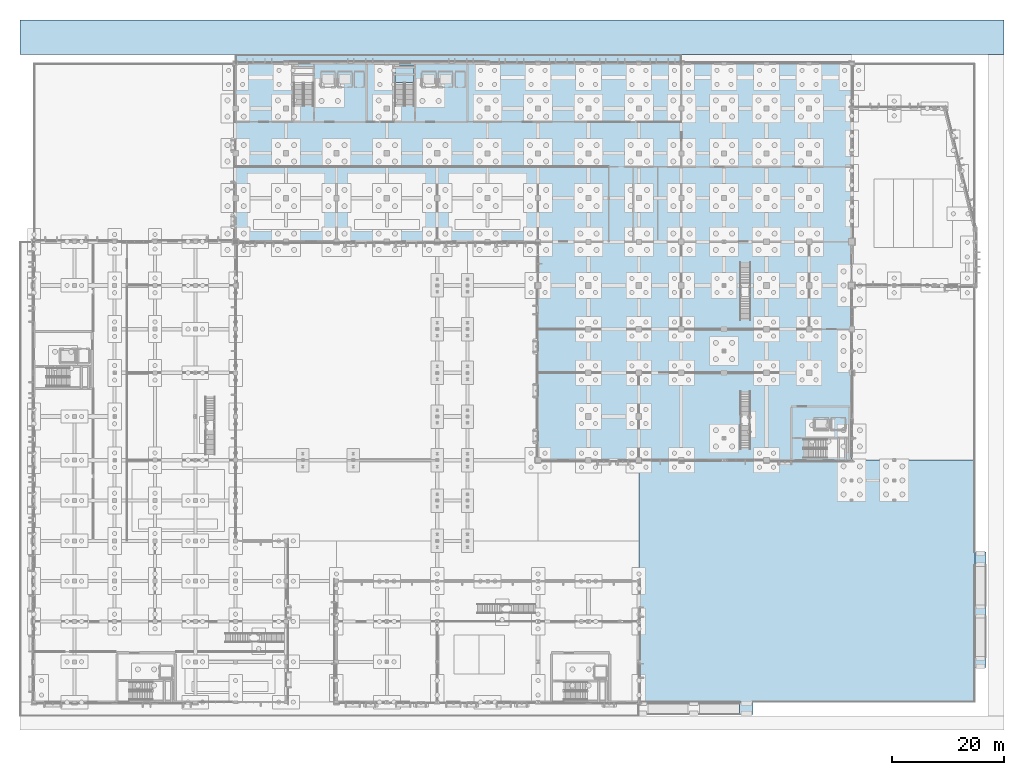
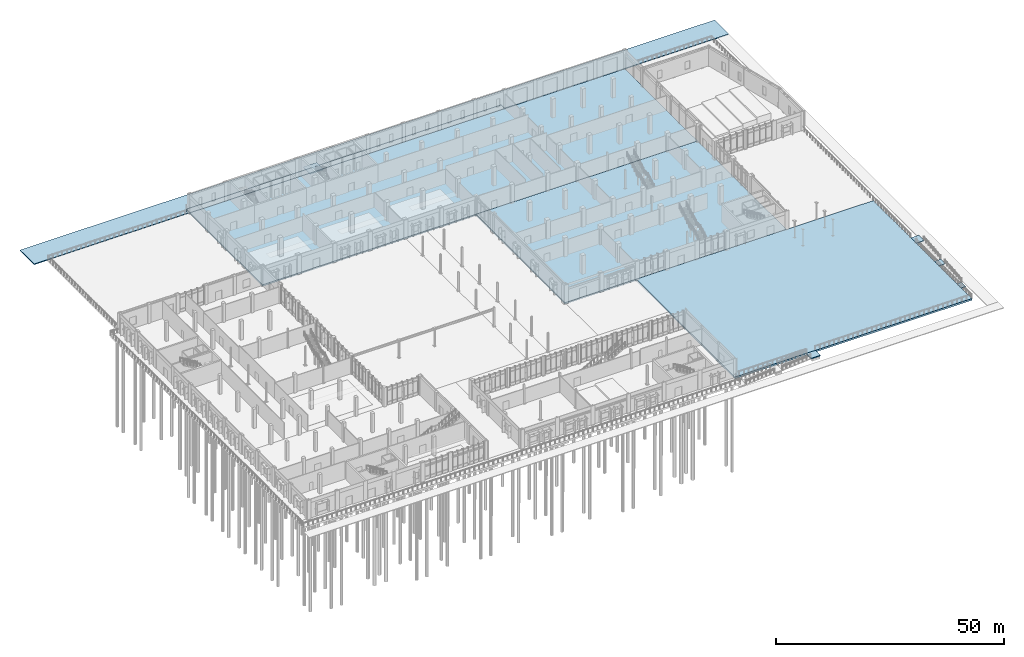
# One storey, part 56 of 94: 10 slabs, 3 elements without a shape of their own.
"""IFC4 building model written with IfcOpenShell, lengths in metres."""

from ifc_helpers import new_model, si_unit, direction, frame, origin, place, context, subcontext, project, spatial, polyline, outline, extrude, material, layer, layer_set, type_object, element, aggregate, save


model = new_model("IFC4")

# Units and contexts
model_context = context("Model", 3, precision=1e-05, world=origin(), true_north=direction((0.0, 1.0)))
body_context = subcontext(model_context, "Body", "Model", "MODEL_VIEW")
ifc_project = project(units=[si_unit("LENGTHUNIT", "METRE"), si_unit("AREAUNIT", "SQUARE_METRE"), si_unit("VOLUMEUNIT", "CUBIC_METRE"), si_unit("PLANEANGLEUNIT", "RADIAN"), si_unit("MASSUNIT", "GRAM", prefix="KILO")], contexts=[model_context])

# Site, building, storey
site_placement = place(None, origin())
site = spatial("IfcSite", under=ifc_project, at=site_placement, CompositionType="ELEMENT")
building_placement = place(site_placement, origin())
building = spatial("IfcBuilding", under=site, at=building_placement, Name="Vervanel Yard Central Library", CompositionType="ELEMENT")
storey_placement = place(building_placement, origin())
storey = spatial("IfcBuildingStorey", under=building, at=storey_placement, Name="L00", CompositionType="ELEMENT", Elevation=0.0)

# Stair, slab
ifc_material = material(Name="Concrete C40/50", Category="concrete")
stair_type = type_object("IfcStairType", Name="Protected Core Dog-Leg Stair ST-02", PredefinedType="HALF_TURN_STAIR", material=ifc_material)
stair_placement = place(storey_placement, origin())
stair = element("IfcStair", 1, at=stair_placement, inside=storey, type_object=stair_type, Name="L00 CORE-B Protected Exit Stair", PredefinedType="HALF_TURN_STAIR")
ifc_layer_1 = layer(ifc_material, 0.199951171875, Category="concrete")
ifc_layer_set_1 = layer_set([ifc_layer_1], Name="Concrete C40/50")
slab_type_1 = type_object("IfcSlabType", Name="Core Stair Concrete Landing Slab 200", PredefinedType="LANDING", material=ifc_layer_set_1)
slab_1_placement = place(storey_placement, frame((0.0, 0.0, 2.35009765625)))
slab_1 = element("IfcSlab", 2, at=slab_1_placement, type_object=slab_type_1, Name="ST-02 landing 1", PredefinedType="LANDING", context=body_context, shape_type="SweptSolid", body=[
    extrude(outline(polyline([(67.85009765625, 110.60009765625), (67.85009765625, 113.60009765625), (64.449951171875, 113.60009765625), (64.449951171875, 110.60009765625), (67.85009765625, 110.60009765625)])), origin(), (0.0, 0.0, 1.0), 0.199951171875),
])
aggregate(stair, [slab_1])

# Ramp, slab
ramp_type = type_object("IfcRampType", Name="Accessible Plinth Concrete Ramp 2000", PredefinedType="STRAIGHT_RUN_RAMP", material=ifc_material)
ramp_1_placement = place(storey_placement, origin())
ramp_1 = element("IfcRamp", 3, at=ramp_1_placement, inside=storey, type_object=ramp_type, Name="Southeast Boulevard Accessible Pedestrian Ramp RM-01", PredefinedType="STRAIGHT_RUN_RAMP")
slab_2_placement = place(storey_placement, frame((0.0, 0.0, -0.199951171875)))
slab_2 = element("IfcSlab", 4, at=slab_2_placement, type_object=slab_type_1, Name="RAMP-01 Landing RAMP-01-L2", PredefinedType="LANDING", context=body_context, shape_type="SweptSolid", body=[
    extrude(outline(polyline([(126.0, -2.199951171875), (128.39990234375, -2.199951171875), (128.39990234375, 0.0), (126.0, 0.0), (126.0, -2.199951171875)])), origin(), (0.0, 0.0, 1.0), 0.199951171875),
])
aggregate(ramp_1, [slab_2])

# Ramp, slabs
ramp_2_placement = place(storey_placement, origin())
ramp_2 = element("IfcRamp", 5, at=ramp_2_placement, inside=storey, type_object=ramp_type, Name="East Forecourt Accessible Pedestrian Ramp RM-02", PredefinedType="STRAIGHT_RUN_RAMP")
slab_3_placement = place(storey_placement, frame((0.0, 0.0, -1.39990234375)))
slab_3 = element("IfcSlab", 6, at=slab_3_placement, type_object=slab_type_1, Name="RAMP-02 Landing RAMP-02-L0", PredefinedType="LANDING", context=body_context, shape_type="SweptSolid", body=[
    extrude(outline(polyline([(168.0, 6.199951171875), (170.0, 6.199951171875), (170.0, 8.0), (168.0, 8.0), (168.0, 6.199951171875)])), origin(), (0.0, 0.0, 1.0), 0.199951171875),
])
slab_4_placement = place(storey_placement, frame((0.0, 0.0, -0.800048828125)))
slab_4 = element("IfcSlab", 7, at=slab_4_placement, type_object=slab_type_1, Name="RAMP-02 Landing RAMP-02-L1", PredefinedType="LANDING", context=body_context, shape_type="SweptSolid", body=[
    extrude(outline(polyline([(168.0, 15.199951171875), (170.0, 15.199951171875), (170.0, 17.199951171875), (168.0, 17.199951171875), (168.0, 15.199951171875)])), origin(), (0.0, 0.0, 1.0), 0.199951171875),
])
slab_5_placement = place(storey_placement, frame((0.0, 0.0, -0.199951171875)))
slab_5 = element("IfcSlab", 8, at=slab_5_placement, type_object=slab_type_1, Name="RAMP-02 Landing RAMP-02-L2", PredefinedType="LANDING", context=body_context, shape_type="SweptSolid", body=[
    extrude(outline(polyline([(168.0, 24.39990234375), (170.0, 24.39990234375), (170.0, 26.800048828125), (168.0, 26.800048828125), (168.0, 24.39990234375)])), origin(), (0.0, 0.0, 1.0), 0.199951171875),
])
aggregate(ramp_2, [slab_3, slab_4, slab_5])

# Slabs
ifc_layer_2 = layer(ifc_material, 0.39990234375, Category="concrete")
ifc_layer_set_2 = layer_set([ifc_layer_2], Name="Concrete C40/50")
slab_type_2 = type_object("IfcSlabType", Name="Plinth Base Slab 400", PredefinedType="BASESLAB", material=ifc_layer_set_2)
slab_6_placement = place(storey_placement, frame((0.0, 0.0, -0.39990234375)))
element("IfcSlab", 9, at=slab_6_placement, inside=storey, type_object=slab_type_2, Name="L00 V1 Plinth Base Slab 400", PredefinedType="BASESLAB", context=body_context, shape_type="SweptSolid", body=[
    extrude(outline(polyline([(36.0, 82.199951171875), (146.0, 82.199951171875), (146.0, 114.0), (36.0, 114.0), (36.0, 82.199951171875)])), origin(), (0.0, 0.0, 1.0), 0.39990234375),
])
ifc_layer_3 = layer(ifc_material, 0.419921875, Category="concrete")
ifc_layer_set_3 = layer_set([ifc_layer_3], Name="Concrete C40/50")
slab_type_3 = type_object("IfcSlabType", Name="Reading Hall Plinth Base Slab 420", PredefinedType="BASESLAB", material=ifc_layer_set_3)
slab_7_placement = place(storey_placement, frame((0.0, 0.0, -0.419921875)))
element("IfcSlab", 10, at=slab_7_placement, inside=storey, type_object=slab_type_3, Name="L00 V3 Reading Hall Plinth Base Slab 420", PredefinedType="BASESLAB", context=body_context, shape_type="SweptSolid", body=[
    extrude(outline(polyline([(90.0, 43.199951171875), (146.0, 43.199951171875), (146.0, 82.199951171875), (90.0, 82.199951171875), (90.0, 43.199951171875)])), origin(), (0.0, 0.0, 1.0), 0.419921875),
])
ifc_layer_4 = layer(ifc_material, 0.4599609375, Category="concrete")
ifc_layer_set_4 = layer_set([ifc_layer_4], Name="Concrete C40/50")
slab_type_4 = type_object("IfcSlabType", Name="Southeast Forecourt Plinth Slab 460", PredefinedType="FLOOR", material=ifc_layer_set_4)
slab_8_placement = place(storey_placement, frame((0.0, 0.0, -0.4599609375)))
element("IfcSlab", 11, at=slab_8_placement, inside=storey, type_object=slab_type_4, Name="Southeast Forecourt Arrival Plaza", PredefinedType="FLOOR", context=body_context, shape_type="SweptSolid", body=[
    extrude(outline(polyline([(108.0, 0.0), (168.0, 0.0), (168.0, 43.199951171875), (108.0, 43.199951171875), (108.0, 0.0)])), origin(), (0.0, 0.0, 1.0), 0.4599609375),
])
ifc_layer_5 = layer(ifc_material, 0.219970703125, Category="concrete")
ifc_layer_set_5 = layer_set([ifc_layer_5], Name="Concrete C40/50")
slab_type_5 = type_object("IfcSlabType", Name="Street Grade Concrete Apron 220", PredefinedType="FLOOR", material=ifc_layer_set_5)
slab_9_placement = place(storey_placement, frame((0.0, 0.0, -1.419921875)))
element("IfcSlab", 12, at=slab_9_placement, inside=storey, type_object=slab_type_5, Name="North Rail Corridor Service Driveway Apron", PredefinedType="FLOOR", context=body_context, shape_type="SweptSolid", body=[
    extrude(outline(polyline([(-2.5, 115.60009765625), (173.199951171875, 115.60009765625), (173.199951171875, 121.800048828125), (-2.5, 121.800048828125), (-2.5, 115.60009765625)])), origin(), (0.0, 0.0, 1.0), 0.219970703125),
])
ifc_layer_6 = layer(ifc_material, 0.449951171875, Category="concrete")
ifc_layer_set_6 = layer_set([ifc_layer_6], Name="Concrete C40/50")
slab_type_6 = type_object("IfcSlabType", Name="Switchyard Plinth Deck Slab 450", PredefinedType="FLOOR", material=ifc_layer_set_6)
slab_10_placement = place(storey_placement, frame((0.0, 0.0, -0.449951171875)))
element("IfcSlab", 13, at=slab_10_placement, inside=storey, type_object=slab_type_6, Name="North Spine Exit Walkway Stoop", PredefinedType="FLOOR", context=body_context, shape_type="SweptSolid", body=[
    extrude(outline(polyline([(36.0, 114.0), (115.60009765625, 114.0), (115.60009765625, 115.60009765625), (36.0, 115.60009765625), (36.0, 114.0)])), origin(), (0.0, 0.0, 1.0), 0.449951171875),
])

save(model, "model.ifc")
